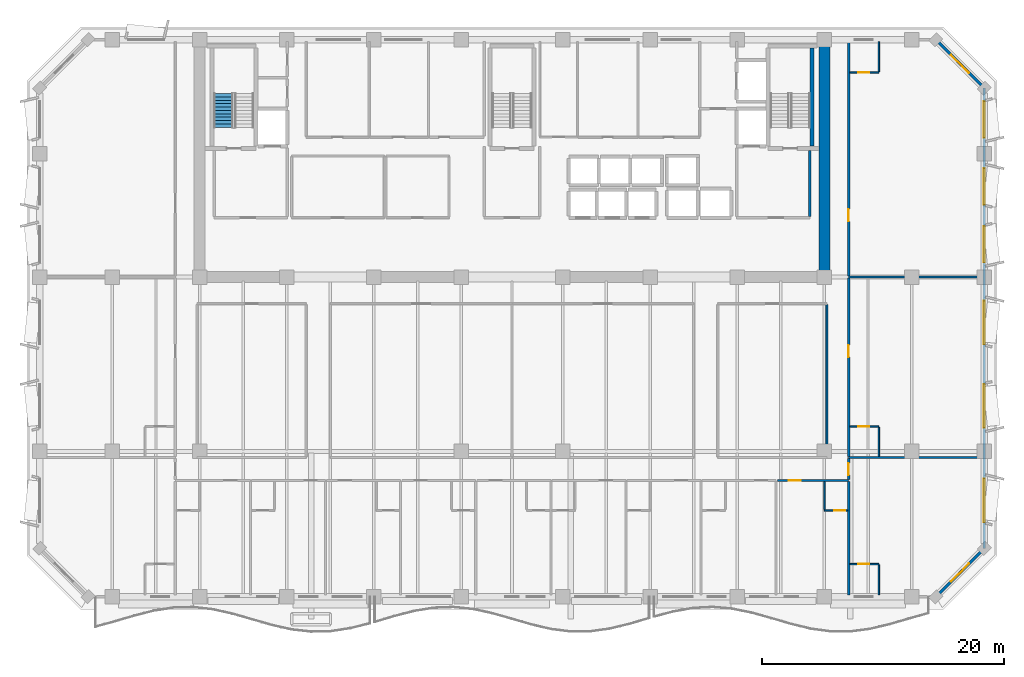
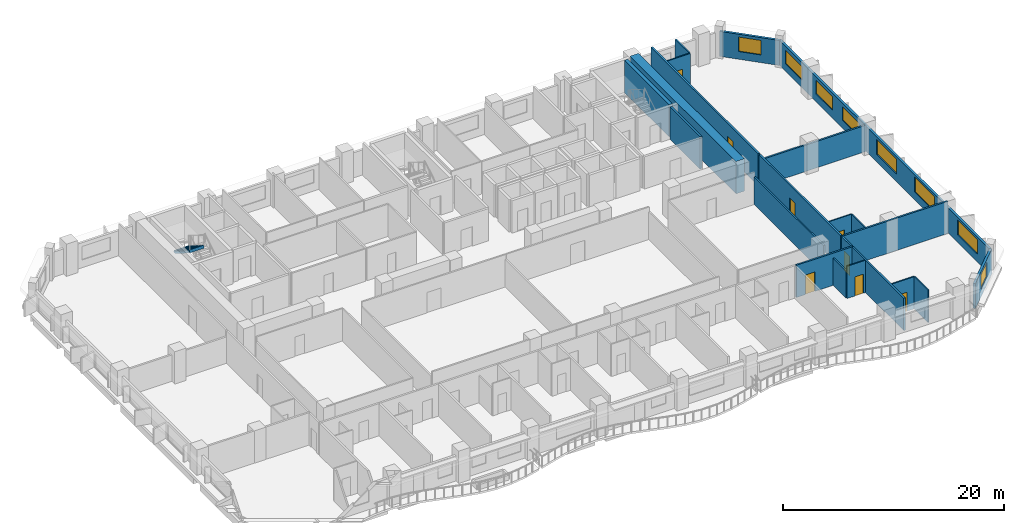
# One storey, part 9 of 15: 22 walls, 8 doors, 8 windows, 1 stair flight, 16 openings, 1 element without a shape of its own.
"""IFC4 building model written with IfcOpenShell, lengths in metres."""

import ifcopenshell
import ifcopenshell.guid

model = None  # the IFC model being written
_history = None  # IfcOwnerHistory: only IFC2X3 demands one
_inside = {}  # id of a spatial element -> (the spatial element, [elements in it])
_under = {}  # id of a project, library or spatial element -> (it, [spatial elements below it])
_declared = {}  # id of a project -> (the project, [libraries it declares])
_typed = {}  # id of a type object -> (the type object, [elements of that type])
_made_of = {}  # id of a material, layer set ... -> (it, [elements and type objects made of it])


def new_model(schema):
    """Start an empty IFC model of exactly this schema.

    Asked for "IFC4X3", IfcOpenShell would pick the latest addendum, in which some entities
    have other attributes; the version numbers below select the first issue.
    IFC2X3 requires an IfcOwnerHistory on every rooted entity: one is made here for all.
    """
    global model, _history
    if schema == "IFC4X3":
        model = ifcopenshell.file(schema_version=(4, 3, 0, 0))
    else:
        model = ifcopenshell.file(schema=schema)
    _inside.clear()
    _under.clear()
    _declared.clear()
    _typed.clear()
    _made_of.clear()
    _history = None
    if model.schema == "IFC2X3":
        org = make("IfcOrganization", Name="unknown")
        user = make(
            "IfcPersonAndOrganization",
            ThePerson=make("IfcPerson", FamilyName="unknown"),
            TheOrganization=org,
        )
        app = make(
            "IfcApplication",
            ApplicationDeveloper=org,
            Version="unknown",
            ApplicationFullName="unknown",
            ApplicationIdentifier="unknown",
        )
        _history = make(
            "IfcOwnerHistory",
            OwningUser=user,
            OwningApplication=app,
            ChangeAction="ADDED",
            CreationDate=0,
        )
    return model


def make(cls, **values):
    """One entity of the class cls with the attributes given. An attribute that is None is left unset."""
    return model.create_entity(
        cls, **{name: value for name, value in values.items() if value is not None}
    )


def rooted(cls, **values):
    """An entity with a GlobalId (a new one), such as an element, a storey or a relation."""
    return make(cls, GlobalId=ifcopenshell.guid.new(), OwnerHistory=_history, **values)


def si_unit(unit_type, name, prefix=None):
    """IfcSIUnit, for example si_unit("LENGTHUNIT", "METRE", prefix="MILLI")."""
    return make("IfcSIUnit", UnitType=unit_type, Prefix=prefix, Name=name)


def assignment(units):
    """IfcUnitAssignment: the units of a project."""
    return None if units is None else make("IfcUnitAssignment", Units=units)


def point(xyz):
    """IfcCartesianPoint."""
    return None if xyz is None else make("IfcCartesianPoint", Coordinates=xyz)


def direction(xyz):
    """IfcDirection."""
    return None if xyz is None else make("IfcDirection", DirectionRatios=xyz)


def frame(location, z_axis=None, x_axis=None):
    """IfcAxis2Placement3D, a coordinate frame: its origin and axes. An axis left out is left unset."""
    return make(
        "IfcAxis2Placement3D",
        Location=point(location),
        Axis=direction(z_axis),
        RefDirection=direction(x_axis),
    )


def frame_2d(location, x_axis=None):
    """IfcAxis2Placement2D, a coordinate frame in the plane: its origin and x axis."""
    return make(
        "IfcAxis2Placement2D", Location=point(location), RefDirection=direction(x_axis)
    )


def origin():
    """The frame at (0, 0, 0) with its axes left unset."""
    return frame((0.0, 0.0, 0.0))


def place(relative_to, where):
    """IfcLocalPlacement: puts the frame where relative to a parent placement (None: the world)."""
    return make(
        "IfcLocalPlacement", PlacementRelTo=relative_to, RelativePlacement=where
    )


def context(
    kind, dimensions, precision=None, world=None, true_north=None, identifier=None
):
    """IfcGeometricRepresentationContext, for example the 3D "Model" context."""
    return make(
        "IfcGeometricRepresentationContext",
        ContextIdentifier=identifier,
        ContextType=kind,
        CoordinateSpaceDimension=dimensions,
        Precision=precision,
        WorldCoordinateSystem=world,
        TrueNorth=true_north,
    )


def subcontext(parent, identifier, kind, view, scale=None):
    """IfcGeometricRepresentationSubContext, for example "Body" below "Model"."""
    return make(
        "IfcGeometricRepresentationSubContext",
        ContextIdentifier=identifier,
        ContextType=kind,
        ParentContext=parent,
        TargetScale=scale,
        TargetView=view,
    )


def project(units=None, contexts=None):
    """IfcProject with its units and contexts."""
    return rooted(
        "IfcProject",
        Name="project",
        RepresentationContexts=contexts,
        UnitsInContext=assignment(units),
    )


def spatial(cls, under=None, at=None, **own):
    """A site, building, storey or space (cls), placed at a placement, below another one or the project."""
    s = rooted(cls, ObjectPlacement=at, **own)
    if under is not None:
        _under.setdefault(under.id(), (under, []))[1].append(s)
    return s


def polyline(points):
    """IfcPolyline through the points."""
    return make("IfcPolyline", Points=[point(p) for p in points])


def profile(cls, at=None, kind="AREA", **sizes):
    """A parametric profile (cls). Its sizes go by their IFC names, for example OverallWidth=200.0."""
    return make(cls, ProfileType=kind, Position=at, **sizes)


def rectangle(**sizes):
    """IfcRectangleProfileDef."""
    return profile("IfcRectangleProfileDef", **sizes)


def outline(outer, holes=None, kind="AREA"):
    """IfcArbitraryClosedProfileDef: a profile drawn as a closed curve; with holes, ...WithVoids."""
    if holes is None:
        return make("IfcArbitraryClosedProfileDef", ProfileType=kind, OuterCurve=outer)
    return make(
        "IfcArbitraryProfileDefWithVoids",
        ProfileType=kind,
        OuterCurve=outer,
        InnerCurves=holes,
    )


def extrude(swept, where, along, depth):
    """IfcExtrudedAreaSolid: the profile swept, set in the frame where, extruded along a direction by depth."""
    return make(
        "IfcExtrudedAreaSolid",
        SweptArea=swept,
        Position=where,
        ExtrudedDirection=direction(along),
        Depth=depth,
    )


def shape(context_of_items, identifier, shape_type, items):
    """IfcShapeRepresentation: the items that make up one representation, for example the "Body"."""
    return make(
        "IfcShapeRepresentation",
        ContextOfItems=context_of_items,
        RepresentationIdentifier=identifier,
        RepresentationType=shape_type,
        Items=items,
    )


def material(Name=None, Category=None):
    """IfcMaterial."""
    return make("IfcMaterial", Name=Name, Category=Category)


def layer(
    of_material, thickness, ventilated=None, Name=None, Category=None, Priority=None
):
    """IfcMaterialLayer: one layer of a wall or slab, of a material (None: an air gap)."""
    return make(
        "IfcMaterialLayer",
        Material=of_material,
        LayerThickness=thickness,
        IsVentilated=ventilated,
        Name=Name,
        Category=Category,
        Priority=Priority,
    )


def layer_set(layers, Name=None):
    """IfcMaterialLayerSet."""
    return make("IfcMaterialLayerSet", MaterialLayers=layers, LayerSetName=Name)


def made_of(thing, what):
    """Note that an element or type object is made of a material, layer set ...; save() writes the relation."""
    if what is not None:
        _made_of.setdefault(what.id(), (what, []))[1].append(thing)
    return thing


def type_object(cls, material=None, **own):
    """A type object (cls), such as IfcWallType, which elements share."""
    return made_of(rooted(cls, **own), material)


def element(
    cls,
    number,
    at=None,
    inside=None,
    cuts=None,
    type_object=None,
    material=None,
    context=None,
    identifier="Body",
    shape_type=None,
    held_by="IfcProductDefinitionShape",
    body=None,
    shapes=None,
    **own,
):
    """One element of the class cls, such as IfcWall. Its Tag is "e" and its number.

    at: its placement. inside: the storey or other place that contains it. cuts: it is an
    opening in that element (IfcRelVoidsElement). A single representation is given by context,
    identifier, shape_type and body (its items); several are given by shapes. held_by: the class
    of the entity that holds the representations. save() writes the other relations.
    """
    e = rooted(cls, Tag="e%d" % number, ObjectPlacement=at, **own)
    if body is not None:
        shapes = [shape(context, identifier, shape_type, body)]
    if shapes is not None:
        e.Representation = make(held_by, Representations=shapes)
    if inside is not None:
        _inside.setdefault(inside.id(), (inside, []))[1].append(e)
    if cuts is not None:
        rooted(
            "IfcRelVoidsElement", RelatingBuildingElement=cuts, RelatedOpeningElement=e
        )
    if type_object is not None:
        _typed.setdefault(type_object.id(), (type_object, []))[1].append(e)
    return made_of(e, material)


def fill(opening, filler):
    """IfcRelFillsElement: the door or window that sits in an opening."""
    return rooted(
        "IfcRelFillsElement",
        RelatingOpeningElement=opening,
        RelatedBuildingElement=filler,
    )


def aggregate(whole, parts):
    """IfcRelAggregates: a whole, such as a stair, and the parts it consists of."""
    return rooted("IfcRelAggregates", RelatingObject=whole, RelatedObjects=parts)


def save(model, path):
    """Write the relations noted so far, then the file.

    IfcRelAggregates (storeys below a building ...), IfcRelContainedInSpatialStructure (elements
    in a storey), IfcRelDefinesByType, IfcRelAssociatesMaterial and IfcRelDeclares: one each for
    every whole, place, type object, material and project.
    """
    for whole, parts in _under.values():
        aggregate(whole, parts)
    for where, things in _inside.values():
        rooted(
            "IfcRelContainedInSpatialStructure",
            RelatedElements=things,
            RelatingStructure=where,
        )
    for kind, things in _typed.values():
        rooted("IfcRelDefinesByType", RelatedObjects=things, RelatingType=kind)
    for what, things in _made_of.values():
        rooted("IfcRelAssociatesMaterial", RelatedObjects=things, RelatingMaterial=what)
    for by, libraries in _declared.values():
        rooted("IfcRelDeclares", RelatingContext=by, RelatedDefinitions=libraries)
    model.write(path)


model = new_model("IFC4")

# Units and contexts
model_context = context("Model", 3, precision=1e-05, world=origin(), true_north=direction((0.0, 1.0)))
body_context = subcontext(model_context, "Body", "Model", "MODEL_VIEW")
ifc_project = project(units=[si_unit("LENGTHUNIT", "METRE"), si_unit("AREAUNIT", "SQUARE_METRE"), si_unit("VOLUMEUNIT", "CUBIC_METRE"), si_unit("PLANEANGLEUNIT", "RADIAN"), si_unit("MASSUNIT", "GRAM", prefix="KILO")], contexts=[model_context])

# Site, building, storey
site_placement = place(None, origin())
site = spatial("IfcSite", under=ifc_project, at=site_placement, CompositionType="ELEMENT")
building_placement = place(site_placement, origin())
building = spatial("IfcBuilding", under=site, at=building_placement, Name="Kaelvorn Grand Hotel", CompositionType="ELEMENT")
storey_placement = place(building_placement, frame((0.0, 0.0, 158.14990234375)))
storey = spatial("IfcBuildingStorey", under=building, at=storey_placement, Name="L38", CompositionType="ELEMENT", Elevation=158.14990234375)

# Wall
ifc_material_1 = material(Name="Concrete C60/75", Category="concrete")
ifc_layer_1 = layer(ifc_material_1, 0.89990234375)
ifc_layer_set_1 = layer_set([ifc_layer_1], Name="Concrete C60/75")
wall_type_1 = type_object("IfcWallType", Name="WL-CORE-900-C60", PredefinedType="SHEAR", material=ifc_layer_set_1)
wall_1_placement = place(storey_placement, frame((67.800048828125, 29.39990234375, 0.0), z_axis=(0.0, 0.0, 1.0), x_axis=(0.0, 1.0, 0.0)))
element("IfcWall", 1, at=wall_1_placement, inside=storey, type_object=wall_type_1, Name="L38 Rear-Core East Shear Wall", PredefinedType="SHEAR", context=body_context, shape_type="SweptSolid", body=[
    extrude(rectangle(XDim=19.2001953125, YDim=0.89990234375, at=frame_2d((9.60009765625, 0.0))), origin(), (0.0, 0.0, 1.0), 3.56005859375),
])

# Wall, opening, window
ifc_material_2 = material(Name="Concrete C40/50", Category="concrete")
ifc_layer_2 = layer(ifc_material_2, 0.239990234375)
ifc_layer_set_2 = layer_set([ifc_layer_2], Name="Concrete C40/50")
wall_type_2 = type_object("IfcWallType", Name="WL-EXT-240-C40", PredefinedType="SOLIDWALL", material=ifc_layer_set_2)
wall_2_placement = place(storey_placement, frame((77.0, 3.0, 0.0), z_axis=(0.0, 0.0, 1.0), x_axis=(0.707106781187, 0.707106781187, 0.0)))
wall_2 = element("IfcWall", 2, at=wall_2_placement, inside=storey, type_object=wall_type_2, Name="L38 Exterior Architectural Concrete Wall 02", PredefinedType="SOLIDWALL", context=body_context, shape_type="SweptSolid", body=[
    extrude(rectangle(XDim=5.65673828125, YDim=0.239990234375, at=frame_2d((2.828369140625, 0.0))), origin(), (0.0, 0.0, 1.0), 2.760009765625),
])
opening_1_placement = place(wall_2_placement, frame((1.7783203125, 0.0, 0.85009765625)))
opening_1 = element("IfcOpeningElement", 3, at=opening_1_placement, cuts=wall_2, Name="Opening W7", PredefinedType="OPENING", context=body_context, shape_type="SweptSolid", body=[
    extrude(rectangle(XDim=2.10009765625, YDim=1.60009765625, at=frame_2d((1.050048828125, 0.800048828125))), frame((0.0, 0.1298828125, 0.0), z_axis=(0.0, -1.0, 0.0), x_axis=(1.0, 0.0, 0.0)), (0.0, 0.0, 1.0), 0.260009765625),
])
ifc_material_3 = material(Name="Laminated Low-E Glass", Category="glass")
window_type_1 = type_object("IfcWindowType", Name="WIN-CHM-2100x1600", PartitioningType="SINGLE_PANEL", PredefinedType="WINDOW", material=ifc_material_3)
window_1_placement = place(opening_1_placement, origin())
window_1 = element("IfcWindow", 4, at=window_1_placement, inside=storey, type_object=window_type_1, Name="L38 Chamfered 45-Degree Corner Window SE", OverallHeight=1.60009765625, OverallWidth=2.10009765625, PartitioningType="SINGLE_PANEL", PredefinedType="WINDOW", context=body_context, shape_type="SweptSolid", body=[
    extrude(rectangle(XDim=2.10009765625, YDim=1.60009765625, at=frame_2d((1.050048828125, 0.800048828125))), frame((0.0, 0.030029296875, 0.0), z_axis=(0.0, -1.0, 0.0), x_axis=(1.0, 0.0, 0.0)), (0.0, 0.0, 1.0), 0.06005859375),
])
fill(opening_1, window_1)

# Wall, openings, windows
wall_3_placement = place(storey_placement, frame((81.0, 7.0, 0.0), z_axis=(0.0, 0.0, 1.0), x_axis=(0.0, 1.0, 0.0)))
wall_3 = element("IfcWall", 5, at=wall_3_placement, inside=storey, type_object=wall_type_2, Name="L38 Exterior Architectural Concrete Wall 03", PredefinedType="SOLIDWALL", context=body_context, shape_type="SweptSolid", body=[
    extrude(rectangle(XDim=38.0, YDim=0.239990234375, at=frame_2d((19.0, 0.0))), origin(), (0.0, 0.0, 1.0), 2.760009765625),
])
opening_2_placement = place(wall_3_placement, frame((2.14990234375, 0.0, 0.85009765625)))
opening_2 = element("IfcOpeningElement", 6, at=opening_2_placement, cuts=wall_3, Name="Opening W3", PredefinedType="OPENING", context=body_context, shape_type="SweptSolid", body=[
    extrude(rectangle(XDim=3.60009765625, YDim=1.64990234375, at=frame_2d((1.800048828125, 0.824951171875))), frame((0.0, 0.1298828125, 0.0), z_axis=(0.0, -1.0, 0.0), x_axis=(1.0, 0.0, 0.0)), (0.0, 0.0, 1.0), 0.260009765625),
])
opening_3_placement = place(wall_3_placement, frame((9.965087890625, 0.0, 0.85009765625)))
opening_3 = element("IfcOpeningElement", 7, at=opening_3_placement, cuts=wall_3, Name="Opening W3", PredefinedType="OPENING", context=body_context, shape_type="SweptSolid", body=[
    extrude(rectangle(XDim=3.60009765625, YDim=1.64990234375, at=frame_2d((1.800048828125, 0.824951171875))), frame((0.0, 0.1298828125, 0.0), z_axis=(0.0, -1.0, 0.0), x_axis=(1.0, 0.0, 0.0)), (0.0, 0.0, 1.0), 0.260009765625),
])
opening_4_placement = place(wall_3_placement, frame((16.8349609375, 0.0, 0.85009765625)))
opening_4 = element("IfcOpeningElement", 8, at=opening_4_placement, cuts=wall_3, Name="Opening W3", PredefinedType="OPENING", context=body_context, shape_type="SweptSolid", body=[
    extrude(rectangle(XDim=3.60009765625, YDim=1.64990234375, at=frame_2d((1.800048828125, 0.824951171875))), frame((0.0, 0.1298828125, 0.0), z_axis=(0.0, -1.0, 0.0), x_axis=(1.0, 0.0, 0.0)), (0.0, 0.0, 1.0), 0.260009765625),
])
opening_5_placement = place(wall_3_placement, frame((23.614990234375, 0.0, 0.85009765625)))
opening_5 = element("IfcOpeningElement", 9, at=opening_5_placement, cuts=wall_3, Name="Opening W5", PredefinedType="OPENING", context=body_context, shape_type="SweptSolid", body=[
    extrude(rectangle(XDim=3.0, YDim=1.5, at=frame_2d((1.5, 0.75))), frame((0.0, 0.1298828125, 0.0), z_axis=(0.0, -1.0, 0.0), x_axis=(1.0, 0.0, 0.0)), (0.0, 0.0, 1.0), 0.260009765625),
])
opening_6_placement = place(wall_3_placement, frame((28.385009765625, 0.0, 0.85009765625)))
opening_6 = element("IfcOpeningElement", 10, at=opening_6_placement, cuts=wall_3, Name="Opening W5", PredefinedType="OPENING", context=body_context, shape_type="SweptSolid", body=[
    extrude(rectangle(XDim=3.0, YDim=1.5, at=frame_2d((1.5, 0.75))), frame((0.0, 0.1298828125, 0.0), z_axis=(0.0, -1.0, 0.0), x_axis=(1.0, 0.0, 0.0)), (0.0, 0.0, 1.0), 0.260009765625),
])
opening_7_placement = place(wall_3_placement, frame((33.9150390625, 0.0, 0.85009765625)))
opening_7 = element("IfcOpeningElement", 11, at=opening_7_placement, cuts=wall_3, Name="Opening W5", PredefinedType="OPENING", context=body_context, shape_type="SweptSolid", body=[
    extrude(rectangle(XDim=3.0, YDim=1.5, at=frame_2d((1.5, 0.75))), frame((0.0, 0.1298828125, 0.0), z_axis=(0.0, -1.0, 0.0), x_axis=(1.0, 0.0, 0.0)), (0.0, 0.0, 1.0), 0.260009765625),
])
window_type_2 = type_object("IfcWindowType", Name="WIN-NTH-3000x1500", PartitioningType="SINGLE_PANEL", PredefinedType="WINDOW", material=ifc_material_3)
window_2_placement = place(opening_5_placement, origin())
window_2 = element("IfcWindow", 12, at=window_2_placement, inside=storey, type_object=window_type_2, Name="L38 E Wing Tilted-Frame Ribbon Window E04", OverallHeight=1.5, OverallWidth=3.0, PartitioningType="SINGLE_PANEL", PredefinedType="WINDOW", context=body_context, shape_type="SweptSolid", body=[
    extrude(rectangle(XDim=3.0, YDim=1.5, at=frame_2d((1.5, 0.75))), frame((0.0, 0.030029296875, 0.0), z_axis=(0.0, -1.0, 0.0), x_axis=(1.0, 0.0, 0.0)), (0.0, 0.0, 1.0), 0.06005859375),
])
fill(opening_5, window_2)
window_3_placement = place(opening_6_placement, origin())
window_3 = element("IfcWindow", 13, at=window_3_placement, inside=storey, type_object=window_type_2, Name="L38 E Wing Tilted-Frame Ribbon Window E05", OverallHeight=1.5, OverallWidth=3.0, PartitioningType="SINGLE_PANEL", PredefinedType="WINDOW", context=body_context, shape_type="SweptSolid", body=[
    extrude(rectangle(XDim=3.0, YDim=1.5, at=frame_2d((1.5, 0.75))), frame((0.0, 0.030029296875, 0.0), z_axis=(0.0, -1.0, 0.0), x_axis=(1.0, 0.0, 0.0)), (0.0, 0.0, 1.0), 0.06005859375),
])
fill(opening_6, window_3)
window_4_placement = place(opening_7_placement, origin())
window_4 = element("IfcWindow", 14, at=window_4_placement, inside=storey, type_object=window_type_2, Name="L38 E Wing Tilted-Frame Ribbon Window E06", OverallHeight=1.5, OverallWidth=3.0, PartitioningType="SINGLE_PANEL", PredefinedType="WINDOW", context=body_context, shape_type="SweptSolid", body=[
    extrude(rectangle(XDim=3.0, YDim=1.5, at=frame_2d((1.5, 0.75))), frame((0.0, 0.030029296875, 0.0), z_axis=(0.0, -1.0, 0.0), x_axis=(1.0, 0.0, 0.0)), (0.0, 0.0, 1.0), 0.06005859375),
])
fill(opening_7, window_4)
window_type_3 = type_object("IfcWindowType", Name="WIN-RIB-3600x1750", PartitioningType="SINGLE_PANEL", PredefinedType="WINDOW", material=ifc_material_3)
window_5_placement = place(opening_2_placement, origin())
window_5 = element("IfcWindow", 15, at=window_5_placement, inside=storey, type_object=window_type_3, Name="L38 E Wing Tilted-Frame Ribbon Window E01", OverallHeight=1.64990234375, OverallWidth=3.60009765625, PartitioningType="SINGLE_PANEL", PredefinedType="WINDOW", context=body_context, shape_type="SweptSolid", body=[
    extrude(rectangle(XDim=3.60009765625, YDim=1.64990234375, at=frame_2d((1.800048828125, 0.824951171875))), frame((0.0, 0.030029296875, 0.0), z_axis=(0.0, -1.0, 0.0), x_axis=(1.0, 0.0, 0.0)), (0.0, 0.0, 1.0), 0.06005859375),
])
fill(opening_2, window_5)
window_6_placement = place(opening_3_placement, origin())
window_6 = element("IfcWindow", 16, at=window_6_placement, inside=storey, type_object=window_type_3, Name="L38 E Wing Tilted-Frame Ribbon Window E02", OverallHeight=1.64990234375, OverallWidth=3.60009765625, PartitioningType="SINGLE_PANEL", PredefinedType="WINDOW", context=body_context, shape_type="SweptSolid", body=[
    extrude(rectangle(XDim=3.60009765625, YDim=1.64990234375, at=frame_2d((1.800048828125, 0.824951171875))), frame((0.0, 0.030029296875, 0.0), z_axis=(0.0, -1.0, 0.0), x_axis=(1.0, 0.0, 0.0)), (0.0, 0.0, 1.0), 0.06005859375),
])
fill(opening_3, window_6)
window_7_placement = place(opening_4_placement, origin())
window_7 = element("IfcWindow", 17, at=window_7_placement, inside=storey, type_object=window_type_3, Name="L38 E Wing Tilted-Frame Ribbon Window E03", OverallHeight=1.64990234375, OverallWidth=3.60009765625, PartitioningType="SINGLE_PANEL", PredefinedType="WINDOW", context=body_context, shape_type="SweptSolid", body=[
    extrude(rectangle(XDim=3.60009765625, YDim=1.64990234375, at=frame_2d((1.800048828125, 0.824951171875))), frame((0.0, 0.030029296875, 0.0), z_axis=(0.0, -1.0, 0.0), x_axis=(1.0, 0.0, 0.0)), (0.0, 0.0, 1.0), 0.06005859375),
])
fill(opening_4, window_7)

# Wall, opening, window
wall_4_placement = place(storey_placement, frame((81.0, 45.0, 0.0), z_axis=(0.0, 0.0, 1.0), x_axis=(-0.707106781187, 0.707106781187, 0.0)))
wall_4 = element("IfcWall", 18, at=wall_4_placement, inside=storey, type_object=wall_type_2, Name="L38 Exterior Architectural Concrete Wall 04", PredefinedType="SOLIDWALL", context=body_context, shape_type="SweptSolid", body=[
    extrude(rectangle(XDim=5.65673828125, YDim=0.239990234375, at=frame_2d((2.828369140625, 0.0))), origin(), (0.0, 0.0, 1.0), 2.760009765625),
])
opening_8_placement = place(wall_4_placement, frame((1.7783203125, 0.0, 0.85009765625)))
opening_8 = element("IfcOpeningElement", 19, at=opening_8_placement, cuts=wall_4, Name="Opening W7", PredefinedType="OPENING", context=body_context, shape_type="SweptSolid", body=[
    extrude(rectangle(XDim=2.10009765625, YDim=1.60009765625, at=frame_2d((1.050048828125, 0.800048828125))), frame((0.0, 0.1298828125, 0.0), z_axis=(0.0, -1.0, 0.0), x_axis=(1.0, 0.0, 0.0)), (0.0, 0.0, 1.0), 0.260009765625),
])
window_8_placement = place(opening_8_placement, origin())
window_8 = element("IfcWindow", 20, at=window_8_placement, inside=storey, type_object=window_type_1, Name="L38 Chamfered 45-Degree Corner Window NE", OverallHeight=1.60009765625, OverallWidth=2.10009765625, PartitioningType="SINGLE_PANEL", PredefinedType="WINDOW", context=body_context, shape_type="SweptSolid", body=[
    extrude(rectangle(XDim=2.10009765625, YDim=1.60009765625, at=frame_2d((1.050048828125, 0.800048828125))), frame((0.0, 0.030029296875, 0.0), z_axis=(0.0, -1.0, 0.0), x_axis=(1.0, 0.0, 0.0)), (0.0, 0.0, 1.0), 0.06005859375),
])
fill(opening_8, window_8)

# Wall, opening, door
ifc_material_4 = material(Name="Moisture-Resistant Tile & Stud Board")
ifc_layer_3 = layer(ifc_material_4, 0.125)
ifc_layer_set_3 = layer_set([ifc_layer_3], Name="Moisture-Resistant Tile & Stud Board")
wall_type_3 = type_object("IfcWallType", Name="WL-PART-125-WET", PredefinedType="PARTITIONING", material=ifc_layer_set_3)
wall_5_placement = place(storey_placement, frame((67.800048828125, 10.139892578125, 0.0), z_axis=(0.0, 0.0, 1.0), x_axis=(1.0, 0.0, 0.0)))
wall_5 = element("IfcWall", 21, at=wall_5_placement, inside=storey, type_object=wall_type_3, Name="L38 En-suite Bathroom L38-09 S Partition", PredefinedType="PARTITIONING", context=body_context, shape_type="SweptSolid", body=[
    extrude(rectangle(XDim=1.905029296875, YDim=0.125, at=frame_2d((0.95263671875, 0.0))), origin(), (0.0, 0.0, 1.0), 3.56005859375),
])
opening_9_placement = place(wall_5_placement, frame((0.800048828125, 0.0, 0.0)))
opening_9 = element("IfcOpeningElement", 22, at=opening_9_placement, cuts=wall_5, Name="Opening DI4", PredefinedType="OPENING", context=body_context, shape_type="SweptSolid", body=[
    extrude(rectangle(XDim=0.89990234375, YDim=2.10009765625, at=frame_2d((0.449951171875, 1.050048828125))), frame((0.0, 0.072509765625, 0.0), z_axis=(0.0, -1.0, 0.0), x_axis=(1.0, 0.0, 0.0)), (0.0, 0.0, 1.0), 0.14501953125),
])
ifc_material_5 = material(Name="Timber Veneer Leaf", Category="wood")
door_type_1 = type_object("IfcDoorType", Name="DR-INT-BATH-900x2100", OperationType="NOTDEFINED", PredefinedType="DOOR", material=ifc_material_5)
door_1_placement = place(opening_9_placement, origin())
door_1 = element("IfcDoor", 23, at=door_1_placement, inside=storey, type_object=door_type_1, Name="L38 En-suite Bathroom L38-09 Door", OperationType="SINGLE_SWING_LEFT", OverallHeight=2.10009765625, OverallWidth=0.89990234375, PredefinedType="DOOR", context=body_context, shape_type="SweptSolid", body=[
    extrude(rectangle(XDim=0.89990234375, YDim=2.10009765625, at=frame_2d((0.449951171875, 1.050048828125))), frame((0.0, 0.02490234375, 0.0), z_axis=(0.0, -1.0, 0.0), x_axis=(1.0, 0.0, 0.0)), (0.0, 0.0, 1.0), 0.050048828125),
])
fill(opening_9, door_1)

# Wall
wall_6_placement = place(storey_placement, frame((67.800048828125, 10.20751953125, 0.0), z_axis=(0.0, 0.0, 1.0), x_axis=(0.0, 1.0, 0.0)))
element("IfcWall", 24, at=wall_6_placement, inside=storey, type_object=wall_type_3, Name="L38 En-suite Bathroom L38-09 W Partition", PredefinedType="PARTITIONING", context=body_context, shape_type="SweptSolid", body=[
    extrude(rectangle(XDim=2.29736328125, YDim=0.125, at=frame_2d((1.148681640625, 0.0))), origin(), (0.0, 0.0, 1.0), 3.010009765625),
])

# Wall, opening, door
wall_7_placement = place(storey_placement, frame((69.89501953125, 5.699951171875, 0.0), z_axis=(0.0, 0.0, 1.0), x_axis=(1.0, 0.0, 0.0)))
wall_7 = element("IfcWall", 25, at=wall_7_placement, inside=storey, type_object=wall_type_3, Name="L38 En-suite Bathroom L38-12 N Partition", PredefinedType="PARTITIONING", context=body_context, shape_type="SweptSolid", body=[
    extrude(rectangle(XDim=2.405029296875, YDim=0.125, at=frame_2d((1.20263671875, 0.0))), origin(), (0.0, 0.0, 1.0), 3.56005859375),
])
opening_10_placement = place(wall_7_placement, frame((0.705078125, 0.0, 0.0)))
opening_10 = element("IfcOpeningElement", 26, at=opening_10_placement, cuts=wall_7, Name="Opening DI4", PredefinedType="OPENING", context=body_context, shape_type="SweptSolid", body=[
    extrude(rectangle(XDim=0.89990234375, YDim=2.10009765625, at=frame_2d((0.449951171875, 1.050048828125))), frame((0.0, 0.072509765625, 0.0), z_axis=(0.0, -1.0, 0.0), x_axis=(1.0, 0.0, 0.0)), (0.0, 0.0, 1.0), 0.14501953125),
])
door_2_placement = place(opening_10_placement, origin())
door_2 = element("IfcDoor", 27, at=door_2_placement, inside=storey, type_object=door_type_1, Name="L38 En-suite Bathroom L38-12 Door", OperationType="SINGLE_SWING_LEFT", OverallHeight=2.10009765625, OverallWidth=0.89990234375, PredefinedType="DOOR", context=body_context, shape_type="SweptSolid", body=[
    extrude(rectangle(XDim=0.89990234375, YDim=2.10009765625, at=frame_2d((0.449951171875, 1.050048828125))), frame((0.0, 0.02490234375, 0.0), z_axis=(0.0, -1.0, 0.0), x_axis=(1.0, 0.0, 0.0)), (0.0, 0.0, 1.0), 0.050048828125),
])
fill(opening_10, door_2)

# Wall
wall_8_placement = place(storey_placement, frame((72.300048828125, 3.14990234375, 0.0), z_axis=(0.0, 0.0, 1.0), x_axis=(0.0, 1.0, 0.0)))
element("IfcWall", 28, at=wall_8_placement, inside=storey, type_object=wall_type_3, Name="L38 En-suite Bathroom L38-12 E Partition", PredefinedType="PARTITIONING", context=body_context, shape_type="SweptSolid", body=[
    extrude(rectangle(XDim=2.482666015625, YDim=0.125, at=frame_2d((1.2412109375, 0.0))), origin(), (0.0, 0.0, 1.0), 3.56005859375),
])

# Wall, opening, door
wall_9_placement = place(storey_placement, frame((69.89501953125, 17.050048828125, 0.0), z_axis=(0.0, 0.0, 1.0), x_axis=(1.0, 0.0, 0.0)))
wall_9 = element("IfcWall", 29, at=wall_9_placement, inside=storey, type_object=wall_type_3, Name="L38 En-suite Bathroom L38-13 N Partition", PredefinedType="PARTITIONING", context=body_context, shape_type="SweptSolid", body=[
    extrude(rectangle(XDim=2.405029296875, YDim=0.125, at=frame_2d((1.20263671875, 0.0))), origin(), (0.0, 0.0, 1.0), 3.56005859375),
])
opening_11_placement = place(wall_9_placement, frame((0.705078125, 0.0, 0.0)))
opening_11 = element("IfcOpeningElement", 30, at=opening_11_placement, cuts=wall_9, Name="Opening DI4", PredefinedType="OPENING", context=body_context, shape_type="SweptSolid", body=[
    extrude(rectangle(XDim=0.89990234375, YDim=2.10009765625, at=frame_2d((0.449951171875, 1.050048828125))), frame((0.0, 0.072509765625, 0.0), z_axis=(0.0, -1.0, 0.0), x_axis=(1.0, 0.0, 0.0)), (0.0, 0.0, 1.0), 0.14501953125),
])
door_3_placement = place(opening_11_placement, origin())
door_3 = element("IfcDoor", 31, at=door_3_placement, inside=storey, type_object=door_type_1, Name="L38 En-suite Bathroom L38-13 Door", OperationType="SINGLE_SWING_LEFT", OverallHeight=2.10009765625, OverallWidth=0.89990234375, PredefinedType="DOOR", context=body_context, shape_type="SweptSolid", body=[
    extrude(rectangle(XDim=0.89990234375, YDim=2.10009765625, at=frame_2d((0.449951171875, 1.050048828125))), frame((0.0, 0.02490234375, 0.0), z_axis=(0.0, -1.0, 0.0), x_axis=(1.0, 0.0, 0.0)), (0.0, 0.0, 1.0), 0.050048828125),
])
fill(opening_11, door_3)

# Wall
wall_10_placement = place(storey_placement, frame((72.300048828125, 14.594970703125, 0.0), z_axis=(0.0, 0.0, 1.0), x_axis=(0.0, 1.0, 0.0)))
element("IfcWall", 32, at=wall_10_placement, inside=storey, type_object=wall_type_3, Name="L38 En-suite Bathroom L38-13 E Partition", PredefinedType="PARTITIONING", context=body_context, shape_type="SweptSolid", body=[
    extrude(rectangle(XDim=2.387451171875, YDim=0.125, at=frame_2d((1.19384765625, 0.0))), origin(), (0.0, 0.0, 1.0), 3.56005859375),
])

# Wall, opening, door
wall_11_placement = place(storey_placement, frame((69.89501953125, 46.300048828125, 0.0), z_axis=(0.0, 0.0, 1.0), x_axis=(1.0, 0.0, 0.0)))
wall_11 = element("IfcWall", 33, at=wall_11_placement, inside=storey, type_object=wall_type_3, Name="L38 En-suite Bathroom L38-14 S Partition", PredefinedType="PARTITIONING", context=body_context, shape_type="SweptSolid", body=[
    extrude(rectangle(XDim=2.405029296875, YDim=0.125, at=frame_2d((1.20263671875, 0.0))), origin(), (0.0, 0.0, 1.0), 3.56005859375),
])
opening_12_placement = place(wall_11_placement, frame((0.705078125, 0.0, 0.0)))
opening_12 = element("IfcOpeningElement", 34, at=opening_12_placement, cuts=wall_11, Name="Opening DI4", PredefinedType="OPENING", context=body_context, shape_type="SweptSolid", body=[
    extrude(rectangle(XDim=0.89990234375, YDim=2.10009765625, at=frame_2d((0.449951171875, 1.050048828125))), frame((0.0, 0.072509765625, 0.0), z_axis=(0.0, -1.0, 0.0), x_axis=(1.0, 0.0, 0.0)), (0.0, 0.0, 1.0), 0.14501953125),
])
door_4_placement = place(opening_12_placement, origin())
door_4 = element("IfcDoor", 35, at=door_4_placement, inside=storey, type_object=door_type_1, Name="L38 En-suite Bathroom L38-14 Door", OperationType="SINGLE_SWING_LEFT", OverallHeight=2.10009765625, OverallWidth=0.89990234375, PredefinedType="DOOR", context=body_context, shape_type="SweptSolid", body=[
    extrude(rectangle(XDim=0.89990234375, YDim=2.10009765625, at=frame_2d((0.449951171875, 1.050048828125))), frame((0.0, 0.02490234375, 0.0), z_axis=(0.0, -1.0, 0.0), x_axis=(1.0, 0.0, 0.0)), (0.0, 0.0, 1.0), 0.050048828125),
])
fill(opening_12, door_4)

# Walls
wall_12_placement = place(storey_placement, frame((72.300048828125, 46.367431640625, 0.0), z_axis=(0.0, 0.0, 1.0), x_axis=(0.0, 1.0, 0.0)))
element("IfcWall", 36, at=wall_12_placement, inside=storey, type_object=wall_type_3, Name="L38 En-suite Bathroom L38-14 E Partition", PredefinedType="PARTITIONING", context=body_context, shape_type="SweptSolid", body=[
    extrude(rectangle(XDim=2.482666015625, YDim=0.125, at=frame_2d((1.2412109375, 0.0))), origin(), (0.0, 0.0, 1.0), 3.56005859375),
])
ifc_material_6 = material(Name="Acoustic Gypsum & Stud Partition")
ifc_layer_4 = layer(ifc_material_6, 0.14990234375)
ifc_layer_set_4 = layer_set([ifc_layer_4], Name="Acoustic Gypsum & Stud Partition")
wall_type_4 = type_object("IfcWallType", Name="WL-PART-150-EI60", PredefinedType="PARTITIONING", material=ifc_layer_set_4)
wall_13_placement = place(storey_placement, frame((68.0, 14.580078125, 0.0), z_axis=(0.0, 0.0, 1.0), x_axis=(0.0, 1.0, 0.0)))
element("IfcWall", 37, at=wall_13_placement, inside=storey, type_object=wall_type_4, Name="L38 Concierge Admin Office E Partition", PredefinedType="PARTITIONING", context=body_context, shape_type="SweptSolid", body=[
    extrude(rectangle(XDim=12.5400390625, YDim=0.14990234375, at=frame_2d((6.27001953125, 0.0))), origin(), (0.0, 0.0, 1.0), 3.06005859375),
])

# Wall, opening, door
ifc_layer_5 = layer(ifc_material_6, 0.179931640625)
ifc_layer_set_5 = layer_set([ifc_layer_5], Name="Acoustic Gypsum & Stud Partition")
wall_type_5 = type_object("IfcWallType", Name="WL-PART-180-EI60", PredefinedType="PARTITIONING", material=ifc_layer_set_5)
wall_14_placement = place(storey_placement, frame((63.9072265625, 12.60009765625, 0.0), z_axis=(0.0, 0.0, 1.0), x_axis=(1.0, 0.0, 0.0)))
wall_14 = element("IfcWall", 38, at=wall_14_placement, inside=storey, type_object=wall_type_5, Name="L38 Superior King Guest Room L38-09 N Partition", PredefinedType="PARTITIONING", context=body_context, shape_type="SweptSolid", body=[
    extrude(rectangle(XDim=5.892822265625, YDim=0.179931640625, at=frame_2d((2.9462890625, 0.0))), origin(), (0.0, 0.0, 1.0), 3.56005859375),
])
opening_13_placement = place(wall_14_placement, frame((0.94873046875, 0.0, 0.0)))
opening_13 = element("IfcOpeningElement", 39, at=opening_13_placement, cuts=wall_14, Name="Opening DI3", PredefinedType="OPENING", context=body_context, shape_type="SweptSolid", body=[
    extrude(rectangle(XDim=1.0, YDim=2.14990234375, at=frame_2d((0.5, 1.074951171875))), frame((0.0, 0.10009765625, 0.0), z_axis=(0.0, -1.0, 0.0), x_axis=(1.0, 0.0, 0.0)), (0.0, 0.0, 1.0), 0.199951171875),
])
ifc_material_7 = material(Name="Timber Veneer Fire Leaf", Category="wood")
door_type_2 = type_object("IfcDoorType", Name="DR-INT-GUEST-1000x2150", OperationType="NOTDEFINED", PredefinedType="DOOR", material=ifc_material_7)
door_5_placement = place(opening_13_placement, origin())
door_5 = element("IfcDoor", 40, at=door_5_placement, inside=storey, type_object=door_type_2, Name="L38 Superior King Guest Room L38-09 Door", OperationType="SINGLE_SWING_RIGHT", OverallHeight=2.14990234375, OverallWidth=1.0, PredefinedType="DOOR", context=body_context, shape_type="SweptSolid", body=[
    extrude(rectangle(XDim=1.0, YDim=2.14990234375, at=frame_2d((0.5, 1.074951171875))), frame((0.0, 0.02490234375, 0.0), z_axis=(0.0, -1.0, 0.0), x_axis=(1.0, 0.0, 0.0)), (0.0, 0.0, 1.0), 0.050048828125),
])
fill(opening_13, door_5)

# Walls
wall_15_placement = place(storey_placement, frame((69.800048828125, 3.14990234375, 0.0), z_axis=(0.0, 0.0, 1.0), x_axis=(0.0, 1.0, 0.0)))
element("IfcWall", 41, at=wall_15_placement, inside=storey, type_object=wall_type_5, Name="L38 Superior King Guest Room L38-09 E Partition", PredefinedType="PARTITIONING", context=body_context, shape_type="SweptSolid", body=[
    extrude(rectangle(XDim=9.35498046875, YDim=0.179931640625, at=frame_2d((4.677490234375, 0.0))), origin(), (0.0, 0.0, 1.0), 3.56005859375),
])
wall_16_placement = place(storey_placement, frame((69.800048828125, 14.5, 0.0), z_axis=(0.0, 0.0, 1.0), x_axis=(1.0, 0.0, 0.0)))
element("IfcWall", 42, at=wall_16_placement, inside=storey, type_object=wall_type_5, Name="L38 South-East Chamfer Suite L38-12 N Partition", PredefinedType="PARTITIONING", context=body_context, shape_type="SweptSolid", body=[
    extrude(rectangle(XDim=11.050048828125, YDim=0.179931640625, at=frame_2d((5.52490234375, 0.0))), origin(), (0.0, 0.0, 1.0), 3.56005859375),
])

# Wall, opening, door
wall_17_placement = place(storey_placement, frame((69.800048828125, 12.695068359375, 0.0), z_axis=(0.0, 0.0, 1.0), x_axis=(0.0, 1.0, 0.0)))
wall_17 = element("IfcWall", 43, at=wall_17_placement, inside=storey, type_object=wall_type_5, Name="L38 South-East Chamfer Suite L38-12 W Partition", PredefinedType="PARTITIONING", context=body_context, shape_type="SweptSolid", body=[
    extrude(rectangle(XDim=1.7099609375, YDim=0.179931640625, at=frame_2d((0.85498046875, 0.0))), origin(), (0.0, 0.0, 1.0), 3.56005859375),
])
opening_14_placement = place(wall_17_placement, frame((0.35009765625, 0.0, 0.0)))
opening_14 = element("IfcOpeningElement", 44, at=opening_14_placement, cuts=wall_17, Name="Opening DI3", PredefinedType="OPENING", context=body_context, shape_type="SweptSolid", body=[
    extrude(rectangle(XDim=1.0, YDim=2.14990234375, at=frame_2d((0.5, 1.074951171875))), frame((0.0, 0.10009765625, 0.0), z_axis=(0.0, -1.0, 0.0), x_axis=(1.0, 0.0, 0.0)), (0.0, 0.0, 1.0), 0.199951171875),
])
door_6_placement = place(opening_14_placement, origin())
door_6 = element("IfcDoor", 45, at=door_6_placement, inside=storey, type_object=door_type_2, Name="L38 South-East Chamfer Suite L38-12 Door", OperationType="SINGLE_SWING_RIGHT", OverallHeight=2.14990234375, OverallWidth=1.0, PredefinedType="DOOR", context=body_context, shape_type="SweptSolid", body=[
    extrude(rectangle(XDim=1.0, YDim=2.14990234375, at=frame_2d((0.5, 1.074951171875))), frame((0.0, 0.02490234375, 0.0), z_axis=(0.0, -1.0, 0.0), x_axis=(1.0, 0.0, 0.0)), (0.0, 0.0, 1.0), 0.050048828125),
])
fill(opening_14, door_6)

# Wall
wall_18_placement = place(storey_placement, frame((69.800048828125, 29.39990234375, 0.0), z_axis=(0.0, 0.0, 1.0), x_axis=(1.0, 0.0, 0.0)))
element("IfcWall", 46, at=wall_18_placement, inside=storey, type_object=wall_type_5, Name="L38 East End Panoramic Suite L38-13 N Partition", PredefinedType="PARTITIONING", context=body_context, shape_type="SweptSolid", body=[
    extrude(rectangle(XDim=11.050048828125, YDim=0.179931640625, at=frame_2d((5.52490234375, 0.0))), origin(), (0.0, 0.0, 1.0), 2.91015625),
])

# Wall, opening, door
wall_19_placement = place(storey_placement, frame((69.800048828125, 14.594970703125, 0.0), z_axis=(0.0, 0.0, 1.0), x_axis=(0.0, 1.0, 0.0)))
wall_19 = element("IfcWall", 47, at=wall_19_placement, inside=storey, type_object=wall_type_5, Name="L38 East End Panoramic Suite L38-13 W Partition", PredefinedType="PARTITIONING", context=body_context, shape_type="SweptSolid", body=[
    extrude(rectangle(XDim=14.7099609375, YDim=0.179931640625, at=frame_2d((7.35498046875, 0.0))), origin(), (0.0, 0.0, 1.0), 3.56005859375),
])
opening_15_placement = place(wall_19_placement, frame((8.18994140625, 0.0, 0.0)))
opening_15 = element("IfcOpeningElement", 48, at=opening_15_placement, cuts=wall_19, Name="Opening DI3", PredefinedType="OPENING", context=body_context, shape_type="SweptSolid", body=[
    extrude(rectangle(XDim=1.0, YDim=2.14990234375, at=frame_2d((0.5, 1.074951171875))), frame((0.0, 0.10009765625, 0.0), z_axis=(0.0, -1.0, 0.0), x_axis=(1.0, 0.0, 0.0)), (0.0, 0.0, 1.0), 0.199951171875),
])
door_7_placement = place(opening_15_placement, origin())
door_7 = element("IfcDoor", 49, at=door_7_placement, inside=storey, type_object=door_type_2, Name="L38 East End Panoramic Suite L38-13 Door", OperationType="SINGLE_SWING_RIGHT", OverallHeight=2.14990234375, OverallWidth=1.0, PredefinedType="DOOR", context=body_context, shape_type="SweptSolid", body=[
    extrude(rectangle(XDim=1.0, YDim=2.14990234375, at=frame_2d((0.5, 1.074951171875))), frame((0.0, 0.02490234375, 0.0), z_axis=(0.0, -1.0, 0.0), x_axis=(1.0, 0.0, 0.0)), (0.0, 0.0, 1.0), 0.050048828125),
])
fill(opening_15, door_7)

wall_20_placement = place(storey_placement, frame((69.800048828125, 29.4951171875, 0.0), z_axis=(0.0, 0.0, 1.0), x_axis=(0.0, 1.0, 0.0)))
wall_20 = element("IfcWall", 50, at=wall_20_placement, inside=storey, type_object=wall_type_5, Name="L38 North-East Corner Suite L38-14 W Partition", PredefinedType="PARTITIONING", context=body_context, shape_type="SweptSolid", body=[
    extrude(rectangle(XDim=19.35498046875, YDim=0.179931640625, at=frame_2d((9.677490234375, 0.0))), origin(), (0.0, 0.0, 1.0), 3.56005859375),
])
opening_16_placement = place(wall_20_placement, frame((4.5048828125, 0.0, 0.0)))
opening_16 = element("IfcOpeningElement", 51, at=opening_16_placement, cuts=wall_20, Name="Opening DI3", PredefinedType="OPENING", context=body_context, shape_type="SweptSolid", body=[
    extrude(rectangle(XDim=1.0, YDim=2.14990234375, at=frame_2d((0.5, 1.074951171875))), frame((0.0, 0.10009765625, 0.0), z_axis=(0.0, -1.0, 0.0), x_axis=(1.0, 0.0, 0.0)), (0.0, 0.0, 1.0), 0.199951171875),
])
door_8_placement = place(opening_16_placement, origin())
door_8 = element("IfcDoor", 52, at=door_8_placement, inside=storey, type_object=door_type_2, Name="L38 North-East Corner Suite L38-14 Door", OperationType="SINGLE_SWING_RIGHT", OverallHeight=2.14990234375, OverallWidth=1.0, PredefinedType="DOOR", context=body_context, shape_type="SweptSolid", body=[
    extrude(rectangle(XDim=1.0, YDim=2.14990234375, at=frame_2d((0.5, 1.074951171875))), frame((0.0, 0.02490234375, 0.0), z_axis=(0.0, -1.0, 0.0), x_axis=(1.0, 0.0, 0.0)), (0.0, 0.0, 1.0), 0.050048828125),
])
fill(opening_16, door_8)

# Walls
ifc_layer_6 = layer(ifc_material_2, 0.219970703125)
ifc_layer_set_6 = layer_set([ifc_layer_6], Name="Concrete C40/50")
wall_type_6 = type_object("IfcWallType", Name="WL-PART-220-EI120", PredefinedType="PARTITIONING", material=ifc_layer_set_6)
wall_21_placement = place(storey_placement, frame((66.60009765625, 34.4150390625, 0.0), z_axis=(0.0, 0.0, 1.0), x_axis=(0.0, 1.0, 0.0)))
element("IfcWall", 53, at=wall_21_placement, inside=storey, type_object=wall_type_6, Name="L38 Firefighting Lift Lobby 2 E Partition", PredefinedType="PARTITIONING", context=body_context, shape_type="SweptSolid", body=[
    extrude(rectangle(XDim=5.429931640625, YDim=0.219970703125, at=frame_2d((2.71484375, 0.0))), origin(), (0.0, 0.0, 1.0), 3.56005859375),
])
ifc_layer_7 = layer(ifc_material_1, 0.35009765625)
ifc_layer_set_7 = layer_set([ifc_layer_7], Name="Concrete C60/75")
wall_type_7 = type_object("IfcWallType", Name="WL-SHAFT-350-C60", PredefinedType="SHEAR", material=ifc_layer_set_7)
wall_22_placement = place(storey_placement, frame((66.77490234375, 40.205078125, 0.0), z_axis=(0.0, 0.0, 1.0), x_axis=(0.0, 1.0, 0.0)))
element("IfcWall", 54, at=wall_22_placement, inside=storey, type_object=wall_type_7, Name="L38 ST3 Stair Shaft East Wall", PredefinedType="SHEAR", context=body_context, shape_type="SweptSolid", body=[
    extrude(rectangle(XDim=8.08984375, YDim=0.35009765625, at=frame_2d((4.044921875, 0.0))), origin(), (0.0, 0.0, 1.0), 3.56005859375),
])

# Stair, stair flight
stair_type = type_object("IfcStairType", Name="STR-DOG-1560-R08", PredefinedType="HALF_TURN_STAIR", material=ifc_material_2)
stair_placement = place(storey_placement, origin())
stair = element("IfcStair", 55, at=stair_placement, inside=storey, type_object=stair_type, Name="L38 West Core Exit Stair ST1", PredefinedType="HALF_TURN_STAIR")
stair_flight_type = type_object("IfcStairFlightType", Name="FLG-DOG-1560-R08", PredefinedType="STRAIGHT", material=ifc_material_2)
stair_flight_placement = place(storey_placement, frame((18.179931640625, 44.56005859375, 1.900146484375), z_axis=(0.0, 0.0, 1.0), x_axis=(0.0, -1.0, 0.0)))
stair_flight = element("IfcStairFlight", 56, at=stair_flight_placement, type_object=stair_flight_type, Name="ST1 flight 2", NumberOfRisers=11, NumberOfTreads=10, PredefinedType="STRAIGHT", RiserHeight=0.172727273, TreadLength=0.28, context=body_context, shape_type="SweptSolid", body=[
    extrude(outline(polyline([(-0.0048828125, 0.0), (-0.0048828125, 0.0400390625), (0.0, 0.172607421875), (0.280029296875, 0.172607421875), (0.280029296875, 0.345458984375), (0.56005859375, 0.345458984375), (0.56005859375, 0.51806640625), (0.840087890625, 0.51806640625), (0.840087890625, 0.69091796875), (1.1201171875, 0.69091796875), (1.1201171875, 0.863525390625), (1.39990234375, 0.863525390625), (1.39990234375, 1.036376953125), (1.679931640625, 1.036376953125), (1.679931640625, 1.208984375), (1.9599609375, 1.208984375), (1.9599609375, 1.3818359375), (2.239990234375, 1.3818359375), (2.239990234375, 1.554443359375), (2.52001953125, 1.554443359375), (2.52001953125, 1.727294921875), (2.800048828125, 1.727294921875), (2.800048828125, 1.89990234375), (2.804931640625, 1.89990234375), (2.804931640625, 1.551025390625), (0.285400390625, 0.0), (-0.0048828125, 0.0)])), frame((0.0, 0.780029296875, 0.0), z_axis=(0.0, -1.0, 0.0), x_axis=(1.0, 0.0, 0.0)), (0.0, 0.0, 1.0), 1.56005859375),
])
aggregate(stair, [stair_flight])

save(model, "model.ifc")
